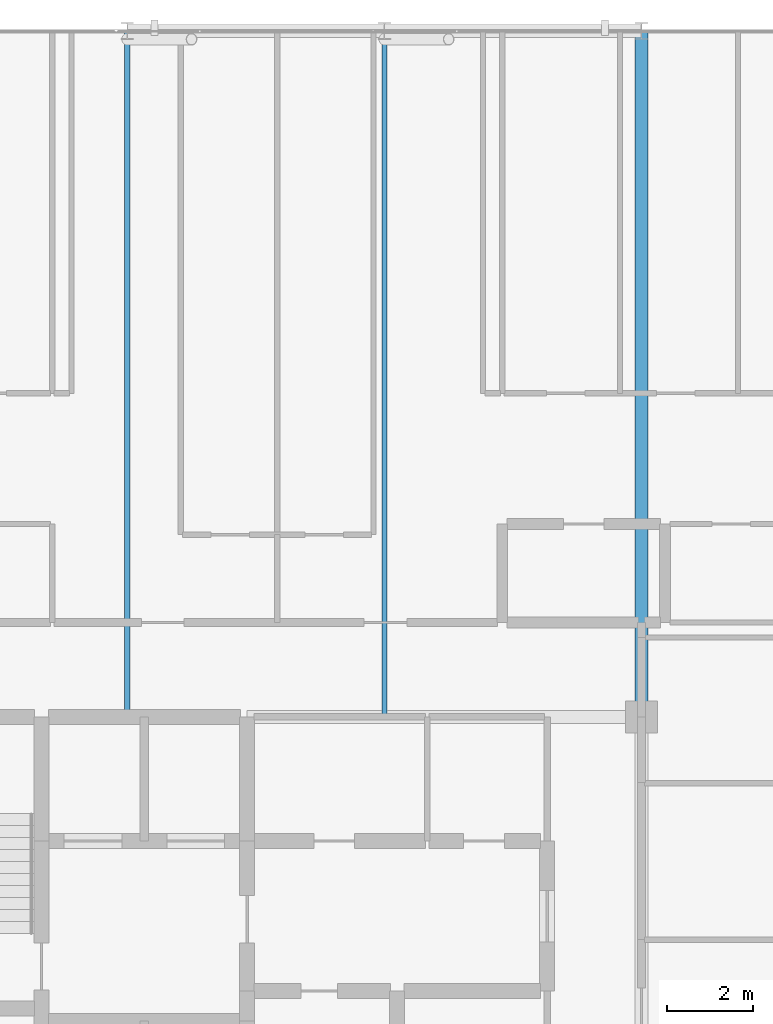
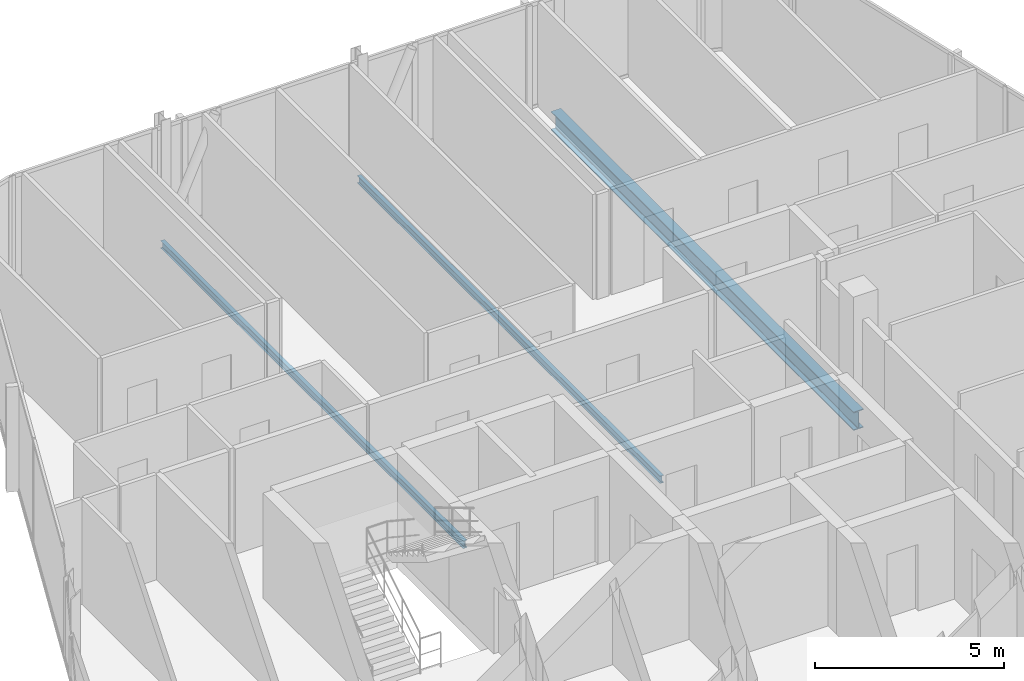
# One storey, part 16 of 28: 3 beams.
"""IFC4 building model written with IfcOpenShell, lengths in metres."""

from ifc_helpers import new_model, si_unit, direction, frame, origin, origin_2d, place, context, subcontext, project, spatial, i_section, extrude, material, material_profile, profile_set, type_object, element, save


model = new_model("IFC4")

# Units and contexts
model_context = context("Model", 3, precision=1e-05, world=origin(), true_north=direction((0.0, 1.0)))
body_context = subcontext(model_context, "Body", "Model", "MODEL_VIEW")
ifc_project = project(units=[si_unit("LENGTHUNIT", "METRE"), si_unit("AREAUNIT", "SQUARE_METRE"), si_unit("VOLUMEUNIT", "CUBIC_METRE"), si_unit("PLANEANGLEUNIT", "RADIAN"), si_unit("MASSUNIT", "GRAM", prefix="KILO")], contexts=[model_context])

# Site, building, storey
site_placement = place(None, origin())
site = spatial("IfcSite", under=ifc_project, at=site_placement, CompositionType="ELEMENT")
building_placement = place(site_placement, origin())
building = spatial("IfcBuilding", under=site, at=building_placement, Name="Keshet Zoharim Tower", CompositionType="ELEMENT")
storey_placement = place(building_placement, frame((0.0, 0.0, 251.0)))
storey = spatial("IfcBuildingStorey", under=building, at=storey_placement, Name="L62", CompositionType="ELEMENT", Elevation=251.0)

# Beams
ifc_material = material(Name="Steel S355", Category="steel")
ifc_material_profile_1 = material_profile(ifc_material, i_section(OverallWidth=0.1201171875, OverallDepth=0.239990234375, WebThickness=0.006103515625, FlangeThickness=0.009765625, FilletRadius=0.014892578125, at=origin_2d()), Name="IPE240")
ifc_profile_set_1 = profile_set([ifc_material_profile_1], Name="Steel S355")
beam_type_1 = type_object("IfcBeamType", Name="BM-JST-IP240", PredefinedType="JOIST", material=ifc_profile_set_1)
for number, where, z_axis, x_axis, name in (
    (1, (21.0, 37.89990234375, -0.429931640625), (0.0, 1.0, 0.0), (-1.0, 0.0, 0.0), "L62 Secondary Floor Joist J-001"),
    (2, (27.0, 37.89990234375, -0.429931640625), (0.0, 1.0, 0.0), (-1.0, 0.0, 0.0), "L62 Secondary Floor Joist J-002"),
):
    element("IfcBeam", number, at=place(storey_placement, frame(where, z_axis=z_axis, x_axis=x_axis)), inside=storey, type_object=beam_type_1, Name=name, PredefinedType="JOIST", context=body_context, shape_type="SweptSolid", body=[
        extrude(i_section(OverallWidth=0.1201171875, OverallDepth=0.239990234375, WebThickness=0.006103515625, FlangeThickness=0.009765625, FilletRadius=0.014892578125, at=origin_2d()), origin(), (0.0, 0.0, 1.0), 16.0),
    ])
ifc_material_profile_2 = material_profile(ifc_material, i_section(OverallWidth=0.300048828125, OverallDepth=0.60009765625, WebThickness=0.015380859375, FlangeThickness=0.030029296875, FilletRadius=0.027099609375, at=origin_2d()), Name="HEB600")
ifc_profile_set_2 = profile_set([ifc_material_profile_2], Name="Steel S355")
beam_type_2 = type_object("IfcBeamType", Name="BM-LNG-HB600", PredefinedType="BEAM", material=ifc_profile_set_2)
beam_placement = place(storey_placement, frame((33.0, 37.89990234375, -0.610107421875), z_axis=(0.0, 1.0, 0.0), x_axis=(-1.0, 0.0, 0.0)))
element("IfcBeam", 3, at=beam_placement, inside=storey, type_object=beam_type_2, Name="L62 Primary Girder Y-009", PredefinedType="BEAM", context=body_context, shape_type="SweptSolid", body=[
    extrude(i_section(OverallWidth=0.300048828125, OverallDepth=0.60009765625, WebThickness=0.015380859375, FlangeThickness=0.030029296875, FilletRadius=0.027099609375, at=origin_2d()), origin(), (0.0, 0.0, 1.0), 16.0),
])

save(model, "model.ifc")
